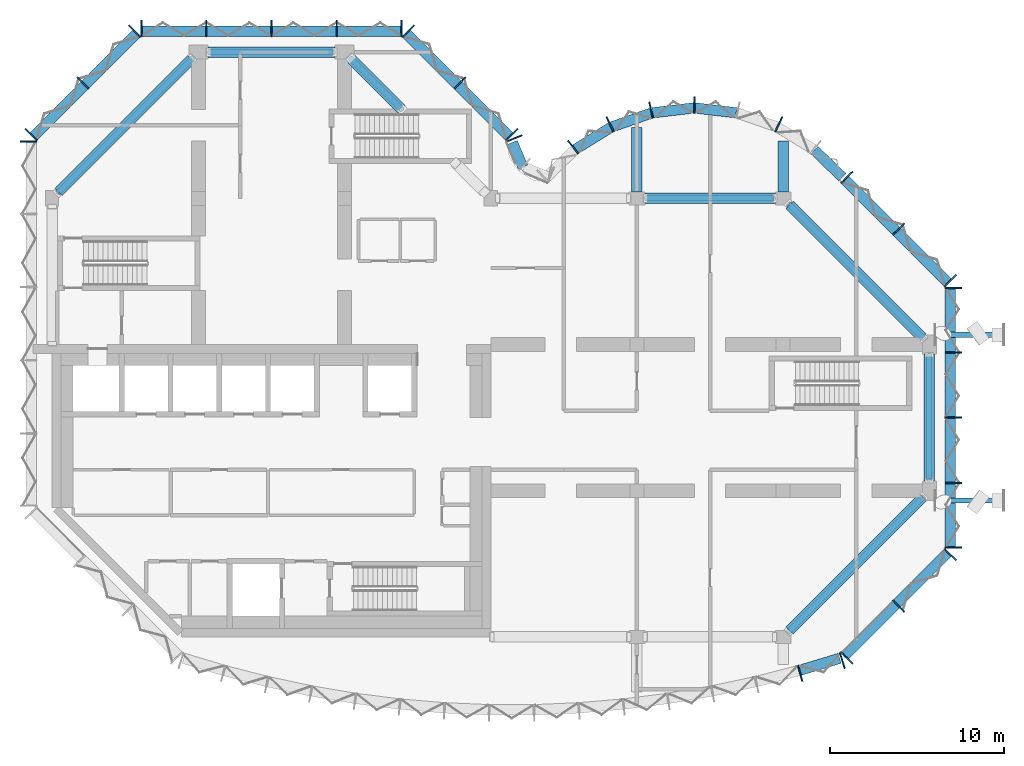
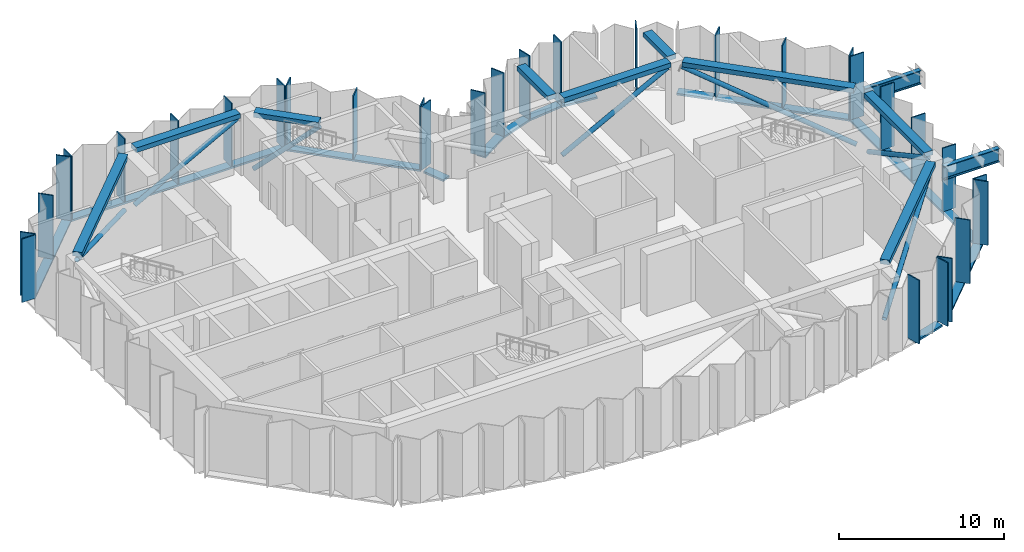
# One storey, part 2 of 13: 53 members, 9 beams, 10 elements without a shape of their own.
"""IFC4 building model written with IfcOpenShell, lengths in metres."""

from ifc_helpers import new_model, si_unit, direction, frame, origin, origin_2d, place, context, subcontext, project, spatial, rectangle, hollow_circle, i_section, extrude, material, material_profile, profile_set, type_object, element, aggregate, save


model = new_model("IFC4")

# Units and contexts
model_context = context("Model", 3, precision=1e-05, world=origin(), true_north=direction((0.0, 1.0)))
body_context = subcontext(model_context, "Body", "Model", "MODEL_VIEW")
ifc_project = project(units=[si_unit("LENGTHUNIT", "METRE"), si_unit("AREAUNIT", "SQUARE_METRE"), si_unit("VOLUMEUNIT", "CUBIC_METRE"), si_unit("PLANEANGLEUNIT", "RADIAN"), si_unit("MASSUNIT", "GRAM", prefix="KILO")], contexts=[model_context])

# Site, building, storey
site_placement = place(None, origin())
site = spatial("IfcSite", under=ifc_project, at=site_placement, CompositionType="ELEMENT")
building_placement = place(site_placement, origin())
building = spatial("IfcBuilding", under=site, at=building_placement, Name="Brevane Broadcast Tower", CompositionType="ELEMENT")
storey_placement = place(building_placement, frame((0.0, 0.0, 210.89990234375)))
storey = spatial("IfcBuildingStorey", under=building, at=storey_placement, Name="L53", CompositionType="ELEMENT", Elevation=210.89990234375)

# Curtain wall, members
ifc_material_1 = material(Name="Aluminium 6063-T6 bronze anodised", Category="aluminium")
curtain_wall_type = type_object("IfcCurtainWallType", Name="CW-3 curtain wall", PredefinedType="NOTDEFINED", material=ifc_material_1)
curtain_wall_1_placement = place(storey_placement, origin())
curtain_wall_1 = element("IfcCurtainWall", 1, at=curtain_wall_1_placement, inside=storey, type_object=curtain_wall_type, Name="CW-3 refuge louvre unit L53 south bow", PredefinedType="NOTDEFINED")
ifc_material_profile_1 = material_profile(ifc_material_1, rectangle(XDim=0.949951171875, YDim=0.080078125, at=origin_2d()), Name="RECT 80x950")
ifc_profile_set_1 = profile_set([ifc_material_profile_1], Name="Aluminium 6063-T6 bronze anodised")
member_type_1 = type_object("IfcMemberType", Name="CW-3 mullion 80x950", PredefinedType="MULLION", material=ifc_profile_set_1)
member_1_placement = place(storey_placement, frame((42.97509765625, -2.097900390625, -0.159912109375), z_axis=(0.0, 0.0, 1.0), x_axis=(-0.268915519935, 0.963163767559, 0.0)))
member_1 = element("IfcMember", 2, at=member_1_placement, type_object=member_type_1, Name="CW-3 mullion", PredefinedType="MULLION", context=body_context, shape_type="SweptSolid", body=[
    extrude(rectangle(XDim=0.949951171875, YDim=0.080078125, at=origin_2d()), origin(), (0.0, 0.0, 1.0), 4.7099609375),
])
member_2_placement = place(storey_placement, frame((45.39892578125, -1.3662109375, -0.159912109375), z_axis=(0.0, 0.0, 1.0), x_axis=(-0.288968122518, 0.957338719664, 0.0)))
member_2 = element("IfcMember", 3, at=member_2_placement, type_object=member_type_1, Name="CW-3 mullion", PredefinedType="MULLION", context=body_context, shape_type="SweptSolid", body=[
    extrude(rectangle(XDim=0.949951171875, YDim=0.080078125, at=origin_2d()), origin(), (0.0, 0.0, 1.0), 4.7099609375),
])

curtain_wall_2_placement = place(storey_placement, origin())
curtain_wall_2 = element("IfcCurtainWall", 4, at=curtain_wall_2_placement, inside=storey, type_object=curtain_wall_type, Name="CW-3 refuge louvre unit L53 south-east chamfer", PredefinedType="NOTDEFINED")
member_3_placement = place(storey_placement, frame((45.6640625, -1.20751953125, -0.159912109375), z_axis=(0.0, 0.0, 1.0), x_axis=(-0.707106781187, 0.707106781187, 0.0)))
member_3 = element("IfcMember", 5, at=member_3_placement, type_object=member_type_1, Name="CW-3 mullion", PredefinedType="MULLION", context=body_context, shape_type="SweptSolid", body=[
    extrude(rectangle(XDim=0.949951171875, YDim=0.080078125, at=origin_2d()), origin(), (0.0, 0.0, 1.0), 4.7099609375),
])
member_4_placement = place(storey_placement, frame((48.635986328125, 1.76416015625, -0.159912109375), z_axis=(0.0, 0.0, 1.0), x_axis=(-0.707106781187, 0.707106781187, 0.0)))
member_4 = element("IfcMember", 6, at=member_4_placement, type_object=member_type_1, Name="CW-3 mullion", PredefinedType="MULLION", context=body_context, shape_type="SweptSolid", body=[
    extrude(rectangle(XDim=0.949951171875, YDim=0.080078125, at=origin_2d()), origin(), (0.0, 0.0, 1.0), 4.7099609375),
])
member_5_placement = place(storey_placement, frame((51.607666015625, 4.73583984375, -0.159912109375), z_axis=(0.0, 0.0, 1.0), x_axis=(-0.707106781187, 0.707106781187, 0.0)))
member_5 = element("IfcMember", 7, at=member_5_placement, type_object=member_type_1, Name="CW-3 mullion", PredefinedType="MULLION", context=body_context, shape_type="SweptSolid", body=[
    extrude(rectangle(XDim=0.949951171875, YDim=0.080078125, at=origin_2d()), origin(), (0.0, 0.0, 1.0), 4.7099609375),
])

curtain_wall_3_placement = place(storey_placement, origin())
curtain_wall_3 = element("IfcCurtainWall", 8, at=curtain_wall_3_placement, inside=storey, type_object=curtain_wall_type, Name="CW-3 refuge louvre unit L53 east end", PredefinedType="NOTDEFINED")
member_6_placement = place(storey_placement, frame((51.77490234375, 5.139892578125, -0.159912109375), z_axis=(0.0, 0.0, 1.0), x_axis=(-1.0, 0.0, 0.0)))
member_6 = element("IfcMember", 9, at=member_6_placement, type_object=member_type_1, Name="CW-3 mullion", PredefinedType="MULLION", context=body_context, shape_type="SweptSolid", body=[
    extrude(rectangle(XDim=0.949951171875, YDim=0.080078125, at=origin_2d()), origin(), (0.0, 0.0, 1.0), 4.7099609375),
])
member_7_placement = place(storey_placement, frame((51.77490234375, 8.85009765625, -0.159912109375), z_axis=(0.0, 0.0, 1.0), x_axis=(-1.0, 0.0, 0.0)))
member_7 = element("IfcMember", 10, at=member_7_placement, type_object=member_type_1, Name="CW-3 mullion", PredefinedType="MULLION", context=body_context, shape_type="SweptSolid", body=[
    extrude(rectangle(XDim=0.949951171875, YDim=0.080078125, at=origin_2d()), origin(), (0.0, 0.0, 1.0), 4.7099609375),
])
member_8_placement = place(storey_placement, frame((51.77490234375, 12.60009765625, -0.159912109375), z_axis=(0.0, 0.0, 1.0), x_axis=(-1.0, 0.0, 0.0)))
member_8 = element("IfcMember", 11, at=member_8_placement, type_object=member_type_1, Name="CW-3 mullion", PredefinedType="MULLION", context=body_context, shape_type="SweptSolid", body=[
    extrude(rectangle(XDim=0.949951171875, YDim=0.080078125, at=origin_2d()), origin(), (0.0, 0.0, 1.0), 4.7099609375),
])
member_9_placement = place(storey_placement, frame((51.77490234375, 16.35009765625, -0.159912109375), z_axis=(0.0, 0.0, 1.0), x_axis=(-1.0, 0.0, 0.0)))
member_9 = element("IfcMember", 12, at=member_9_placement, type_object=member_type_1, Name="CW-3 mullion", PredefinedType="MULLION", context=body_context, shape_type="SweptSolid", body=[
    extrude(rectangle(XDim=0.949951171875, YDim=0.080078125, at=origin_2d()), origin(), (0.0, 0.0, 1.0), 4.7099609375),
])
member_10_placement = place(storey_placement, frame((51.77490234375, 20.06005859375, -0.159912109375), z_axis=(0.0, 0.0, 1.0), x_axis=(-1.0, 0.0, 0.0)))
member_10 = element("IfcMember", 13, at=member_10_placement, type_object=member_type_1, Name="CW-3 mullion", PredefinedType="MULLION", context=body_context, shape_type="SweptSolid", body=[
    extrude(rectangle(XDim=0.949951171875, YDim=0.080078125, at=origin_2d()), origin(), (0.0, 0.0, 1.0), 4.7099609375),
])

curtain_wall_4_placement = place(storey_placement, origin())
curtain_wall_4 = element("IfcCurtainWall", 14, at=curtain_wall_4_placement, inside=storey, type_object=curtain_wall_type, Name="CW-3 refuge louvre unit L53 north-east chamfer", PredefinedType="NOTDEFINED")
member_11_placement = place(storey_placement, frame((51.607666015625, 20.464111328125, -0.159912109375), z_axis=(0.0, 0.0, 1.0), x_axis=(-0.707106781187, -0.707106781187, 0.0)))
member_11 = element("IfcMember", 15, at=member_11_placement, type_object=member_type_1, Name="CW-3 mullion", PredefinedType="MULLION", context=body_context, shape_type="SweptSolid", body=[
    extrude(rectangle(XDim=0.949951171875, YDim=0.080078125, at=origin_2d()), origin(), (0.0, 0.0, 1.0), 4.7099609375),
])
member_12_placement = place(storey_placement, frame((48.635986328125, 23.435791015625, -0.159912109375), z_axis=(0.0, 0.0, 1.0), x_axis=(-0.707106781187, -0.707106781187, 0.0)))
member_12 = element("IfcMember", 16, at=member_12_placement, type_object=member_type_1, Name="CW-3 mullion", PredefinedType="MULLION", context=body_context, shape_type="SweptSolid", body=[
    extrude(rectangle(XDim=0.949951171875, YDim=0.080078125, at=origin_2d()), origin(), (0.0, 0.0, 1.0), 4.7099609375),
])
member_13_placement = place(storey_placement, frame((45.6640625, 26.407470703125, -0.159912109375), z_axis=(0.0, 0.0, 1.0), x_axis=(-0.707106781187, -0.707106781187, 0.0)))
member_13 = element("IfcMember", 17, at=member_13_placement, type_object=member_type_1, Name="CW-3 mullion", PredefinedType="MULLION", context=body_context, shape_type="SweptSolid", body=[
    extrude(rectangle(XDim=0.949951171875, YDim=0.080078125, at=origin_2d()), origin(), (0.0, 0.0, 1.0), 4.7099609375),
])

curtain_wall_5_placement = place(storey_placement, origin())
curtain_wall_5 = element("IfcCurtainWall", 18, at=curtain_wall_5_placement, inside=storey, type_object=curtain_wall_type, Name="CW-3 refuge louvre unit L53 east bow", PredefinedType="NOTDEFINED")
member_14_placement = place(storey_placement, frame((41.746826171875, 29.4580078125, -0.159912109375), z_axis=(0.0, 0.0, 1.0), x_axis=(-0.429933580394, -0.902860518823, 0.0)))
member_14 = element("IfcMember", 19, at=member_14_placement, type_object=member_type_1, Name="CW-3 mullion", PredefinedType="MULLION", context=body_context, shape_type="SweptSolid", body=[
    extrude(rectangle(XDim=0.949951171875, YDim=0.080078125, at=origin_2d()), origin(), (0.0, 0.0, 1.0), 4.7099609375),
])
member_15_placement = place(storey_placement, frame((36.89990234375, 30.574951171875, -0.159912109375), z_axis=(0.0, 0.0, 1.0), x_axis=(0.0, -1.0, 0.0)))
member_15 = element("IfcMember", 20, at=member_15_placement, type_object=member_type_1, Name="CW-3 mullion", PredefinedType="MULLION", context=body_context, shape_type="SweptSolid", body=[
    extrude(rectangle(XDim=0.949951171875, YDim=0.080078125, at=origin_2d()), origin(), (0.0, 0.0, 1.0), 4.7099609375),
])
member_16_placement = place(storey_placement, frame((34.411865234375, 30.28076171875, -0.159912109375), z_axis=(0.0, 0.0, 1.0), x_axis=(0.224806535479, -0.974403418306, 0.0)))
member_16 = element("IfcMember", 21, at=member_16_placement, type_object=member_type_1, Name="CW-3 mullion", PredefinedType="MULLION", context=body_context, shape_type="SweptSolid", body=[
    extrude(rectangle(XDim=0.949951171875, YDim=0.080078125, at=origin_2d()), origin(), (0.0, 0.0, 1.0), 4.7099609375),
])
member_17_placement = place(storey_placement, frame((32.05322265625, 29.4580078125, -0.159912109375), z_axis=(0.0, 0.0, 1.0), x_axis=(0.429933580394, -0.902860518823, 0.0)))
member_17 = element("IfcMember", 22, at=member_17_placement, type_object=member_type_1, Name="CW-3 mullion", PredefinedType="MULLION", context=body_context, shape_type="SweptSolid", body=[
    extrude(rectangle(XDim=0.949951171875, YDim=0.080078125, at=origin_2d()), origin(), (0.0, 0.0, 1.0), 4.7099609375),
])
member_18_placement = place(storey_placement, frame((29.927978515625, 28.1455078125, -0.159912109375), z_axis=(0.0, 0.0, 1.0), x_axis=(0.614769698862, -0.788706673841, 0.0)))
member_18 = element("IfcMember", 23, at=member_18_placement, type_object=member_type_1, Name="CW-3 mullion", PredefinedType="MULLION", context=body_context, shape_type="SweptSolid", body=[
    extrude(rectangle(XDim=0.949951171875, YDim=0.080078125, at=origin_2d()), origin(), (0.0, 0.0, 1.0), 4.7099609375),
])

# Curtain wall, member
curtain_wall_6_placement = place(storey_placement, origin())
curtain_wall_6 = element("IfcCurtainWall", 24, at=curtain_wall_6_placement, inside=storey, type_object=curtain_wall_type, Name="CW-3 refuge louvre unit L53 inner corner", PredefinedType="NOTDEFINED")
member_19_placement = place(storey_placement, frame((26.55419921875, 28.644775390625, -0.159912109375), z_axis=(0.0, 0.0, 1.0), x_axis=(-0.923879532511, -0.382683432365, 0.0)))
member_19 = element("IfcMember", 25, at=member_19_placement, type_object=member_type_1, Name="CW-3 mullion", PredefinedType="MULLION", context=body_context, shape_type="SweptSolid", body=[
    extrude(rectangle(XDim=0.949951171875, YDim=0.080078125, at=origin_2d()), origin(), (0.0, 0.0, 1.0), 4.7099609375),
])

# Curtain wall, members
curtain_wall_7_placement = place(storey_placement, origin())
curtain_wall_7 = element("IfcCurtainWall", 26, at=curtain_wall_7_placement, inside=storey, type_object=curtain_wall_type, Name="CW-3 refuge louvre unit L53 north arm north-east chamfer", PredefinedType="NOTDEFINED")
member_20_placement = place(storey_placement, frame((26.407470703125, 28.8642578125, -0.159912109375), z_axis=(0.0, 0.0, 1.0), x_axis=(-0.707106781187, -0.707106781187, 0.0)))
member_20 = element("IfcMember", 27, at=member_20_placement, type_object=member_type_1, Name="CW-3 mullion", PredefinedType="MULLION", context=body_context, shape_type="SweptSolid", body=[
    extrude(rectangle(XDim=0.949951171875, YDim=0.080078125, at=origin_2d()), origin(), (0.0, 0.0, 1.0), 4.7099609375),
])
member_21_placement = place(storey_placement, frame((23.435791015625, 31.8359375, -0.159912109375), z_axis=(0.0, 0.0, 1.0), x_axis=(-0.707106781187, -0.707106781187, 0.0)))
member_21 = element("IfcMember", 28, at=member_21_placement, type_object=member_type_1, Name="CW-3 mullion", PredefinedType="MULLION", context=body_context, shape_type="SweptSolid", body=[
    extrude(rectangle(XDim=0.949951171875, YDim=0.080078125, at=origin_2d()), origin(), (0.0, 0.0, 1.0), 4.7099609375),
])
member_22_placement = place(storey_placement, frame((20.464111328125, 34.8076171875, -0.159912109375), z_axis=(0.0, 0.0, 1.0), x_axis=(-0.707106781187, -0.707106781187, 0.0)))
member_22 = element("IfcMember", 29, at=member_22_placement, type_object=member_type_1, Name="CW-3 mullion", PredefinedType="MULLION", context=body_context, shape_type="SweptSolid", body=[
    extrude(rectangle(XDim=0.949951171875, YDim=0.080078125, at=origin_2d()), origin(), (0.0, 0.0, 1.0), 4.7099609375),
])

curtain_wall_8_placement = place(storey_placement, origin())
curtain_wall_8 = element("IfcCurtainWall", 30, at=curtain_wall_8_placement, inside=storey, type_object=curtain_wall_type, Name="CW-3 refuge louvre unit L53 north end", PredefinedType="NOTDEFINED")
member_23_placement = place(storey_placement, frame((20.06005859375, 34.97509765625, -0.159912109375), z_axis=(0.0, 0.0, 1.0), x_axis=(0.0, -1.0, 0.0)))
member_23 = element("IfcMember", 31, at=member_23_placement, type_object=member_type_1, Name="CW-3 mullion", PredefinedType="MULLION", context=body_context, shape_type="SweptSolid", body=[
    extrude(rectangle(XDim=0.949951171875, YDim=0.080078125, at=origin_2d()), origin(), (0.0, 0.0, 1.0), 4.7099609375),
])
member_24_placement = place(storey_placement, frame((16.35009765625, 34.97509765625, -0.159912109375), z_axis=(0.0, 0.0, 1.0), x_axis=(0.0, -1.0, 0.0)))
member_24 = element("IfcMember", 32, at=member_24_placement, type_object=member_type_1, Name="CW-3 mullion", PredefinedType="MULLION", context=body_context, shape_type="SweptSolid", body=[
    extrude(rectangle(XDim=0.949951171875, YDim=0.080078125, at=origin_2d()), origin(), (0.0, 0.0, 1.0), 4.7099609375),
])
member_25_placement = place(storey_placement, frame((12.60009765625, 34.97509765625, -0.159912109375), z_axis=(0.0, 0.0, 1.0), x_axis=(0.0, -1.0, 0.0)))
member_25 = element("IfcMember", 33, at=member_25_placement, type_object=member_type_1, Name="CW-3 mullion", PredefinedType="MULLION", context=body_context, shape_type="SweptSolid", body=[
    extrude(rectangle(XDim=0.949951171875, YDim=0.080078125, at=origin_2d()), origin(), (0.0, 0.0, 1.0), 4.7099609375),
])
member_26_placement = place(storey_placement, frame((8.85009765625, 34.97509765625, -0.159912109375), z_axis=(0.0, 0.0, 1.0), x_axis=(0.0, -1.0, 0.0)))
member_26 = element("IfcMember", 34, at=member_26_placement, type_object=member_type_1, Name="CW-3 mullion", PredefinedType="MULLION", context=body_context, shape_type="SweptSolid", body=[
    extrude(rectangle(XDim=0.949951171875, YDim=0.080078125, at=origin_2d()), origin(), (0.0, 0.0, 1.0), 4.7099609375),
])
member_27_placement = place(storey_placement, frame((5.139892578125, 34.97509765625, -0.159912109375), z_axis=(0.0, 0.0, 1.0), x_axis=(0.0, -1.0, 0.0)))
member_27 = element("IfcMember", 35, at=member_27_placement, type_object=member_type_1, Name="CW-3 mullion", PredefinedType="MULLION", context=body_context, shape_type="SweptSolid", body=[
    extrude(rectangle(XDim=0.949951171875, YDim=0.080078125, at=origin_2d()), origin(), (0.0, 0.0, 1.0), 4.7099609375),
])

curtain_wall_9_placement = place(storey_placement, origin())
curtain_wall_9 = element("IfcCurtainWall", 36, at=curtain_wall_9_placement, inside=storey, type_object=curtain_wall_type, Name="CW-3 refuge louvre unit L53 north-west chamfer", PredefinedType="NOTDEFINED")
member_28_placement = place(storey_placement, frame((4.73583984375, 34.8076171875, -0.159912109375), z_axis=(0.0, 0.0, 1.0), x_axis=(0.707106781187, -0.707106781187, 0.0)))
member_28 = element("IfcMember", 37, at=member_28_placement, type_object=member_type_1, Name="CW-3 mullion", PredefinedType="MULLION", context=body_context, shape_type="SweptSolid", body=[
    extrude(rectangle(XDim=0.949951171875, YDim=0.080078125, at=origin_2d()), origin(), (0.0, 0.0, 1.0), 4.7099609375),
])
member_29_placement = place(storey_placement, frame((1.76416015625, 31.8359375, -0.159912109375), z_axis=(0.0, 0.0, 1.0), x_axis=(0.707106781187, -0.707106781187, 0.0)))
member_29 = element("IfcMember", 38, at=member_29_placement, type_object=member_type_1, Name="CW-3 mullion", PredefinedType="MULLION", context=body_context, shape_type="SweptSolid", body=[
    extrude(rectangle(XDim=0.949951171875, YDim=0.080078125, at=origin_2d()), origin(), (0.0, 0.0, 1.0), 4.7099609375),
])
member_30_placement = place(storey_placement, frame((-1.20751953125, 28.8642578125, -0.159912109375), z_axis=(0.0, 0.0, 1.0), x_axis=(0.707106781187, -0.707106781187, 0.0)))
member_30 = element("IfcMember", 39, at=member_30_placement, type_object=member_type_1, Name="CW-3 mullion", PredefinedType="MULLION", context=body_context, shape_type="SweptSolid", body=[
    extrude(rectangle(XDim=0.949951171875, YDim=0.080078125, at=origin_2d()), origin(), (0.0, 0.0, 1.0), 4.7099609375),
])

# Curtain wall, member
curtain_wall_10_placement = place(storey_placement, origin())
curtain_wall_10 = element("IfcCurtainWall", 40, at=curtain_wall_10_placement, inside=storey, type_object=curtain_wall_type, Name="CW-3 refuge louvre unit L53 west face", PredefinedType="NOTDEFINED")
member_31_placement = place(storey_placement, frame((-1.375, 28.4599609375, -0.159912109375), z_axis=(0.0, 0.0, 1.0), x_axis=(1.0, 0.0, 0.0)))
member_31 = element("IfcMember", 41, at=member_31_placement, type_object=member_type_1, Name="CW-3 mullion", PredefinedType="MULLION", context=body_context, shape_type="SweptSolid", body=[
    extrude(rectangle(XDim=0.949951171875, YDim=0.080078125, at=origin_2d()), origin(), (0.0, 0.0, 1.0), 4.7099609375),
])
aggregate(curtain_wall_10, [member_31])

# Member
ifc_material_profile_2 = material_profile(ifc_material_1, rectangle(XDim=0.60009765625, YDim=0.139892578125, at=origin_2d()), Name="RECT 140x600")
ifc_profile_set_2 = profile_set([ifc_material_profile_2], Name="Aluminium 6063-T6 bronze anodised")
member_type_2 = type_object("IfcMemberType", Name="CW-3 transom 140x600", PredefinedType="USERDEFINED", material=ifc_profile_set_2)
member_32_placement = place(storey_placement, frame((42.93701171875, -1.926513671875, -0.22998046875), z_axis=(0.957362578524, 0.288889067362, 0.0), x_axis=(-0.288889067362, 0.957362578524, 0.0)))
member_32 = element("IfcMember", 42, at=member_32_placement, type_object=member_type_2, Name="CW-3 transom", ObjectType="TRANSOM", PredefinedType="USERDEFINED", context=body_context, shape_type="SweptSolid", body=[
    extrude(rectangle(XDim=0.60009765625, YDim=0.139892578125, at=origin_2d()), origin(), (0.0, 0.0, 1.0), 2.411865234375),
])

aggregate(curtain_wall_1, [member_1, member_2, member_32])

member_33_placement = place(storey_placement, frame((45.51220703125, -1.112060546875, -0.22998046875), z_axis=(0.707106781187, 0.707106781187, 0.0), x_axis=(-0.707106781187, 0.707106781187, 0.0)))
member_33 = element("IfcMember", 43, at=member_33_placement, type_object=member_type_2, Name="CW-3 transom", ObjectType="TRANSOM", PredefinedType="USERDEFINED", context=body_context, shape_type="SweptSolid", body=[
    extrude(rectangle(XDim=0.60009765625, YDim=0.139892578125, at=origin_2d()), origin(), (0.0, 0.0, 1.0), 8.4853515625),
])

aggregate(curtain_wall_2, [member_3, member_4, member_5, member_33])

member_34_placement = place(storey_placement, frame((51.60009765625, 5.10009765625, -0.22998046875), z_axis=(0.0, 1.0, 0.0), x_axis=(-1.0, 0.0, 0.0)))
member_34 = element("IfcMember", 44, at=member_34_placement, type_object=member_type_2, Name="CW-3 transom", ObjectType="TRANSOM", PredefinedType="USERDEFINED", context=body_context, shape_type="SweptSolid", body=[
    extrude(rectangle(XDim=0.60009765625, YDim=0.139892578125, at=origin_2d()), origin(), (0.0, 0.0, 1.0), 15.0),
])

aggregate(curtain_wall_3, [member_6, member_7, member_8, member_9, member_10, member_34])

member_35_placement = place(storey_placement, frame((51.51220703125, 20.31201171875, -0.22998046875), z_axis=(-0.707106781187, 0.707106781187, 0.0), x_axis=(-0.707106781187, -0.707106781187, 0.0)))
member_35 = element("IfcMember", 45, at=member_35_placement, type_object=member_type_2, Name="CW-3 transom", ObjectType="TRANSOM", PredefinedType="USERDEFINED", context=body_context, shape_type="SweptSolid", body=[
    extrude(rectangle(XDim=0.60009765625, YDim=0.139892578125, at=origin_2d()), origin(), (0.0, 0.0, 1.0), 8.4853515625),
])

aggregate(curtain_wall_4, [member_11, member_12, member_13, member_35])

member_36_placement = place(storey_placement, frame((45.412841796875, 26.407958984375, -0.22998046875), z_axis=(-0.71724215871, 0.696823999134, 0.0), x_axis=(-0.696823999134, -0.71724215871, 0.0)))
member_36 = element("IfcMember", 46, at=member_36_placement, type_object=member_type_2, Name="CW-3 transom", ObjectType="TRANSOM", PredefinedType="USERDEFINED", context=body_context, shape_type="SweptSolid", body=[
    extrude(rectangle(XDim=0.60009765625, YDim=0.139892578125, at=origin_2d()), origin(), (0.0, 0.0, 1.0), 2.247802734375),
])

member_37_placement = place(storey_placement, frame((39.30029296875, 30.117431640625, -0.22998046875), z_axis=(-0.993062061831, 0.117591417, 0.0), x_axis=(-0.117591417, -0.993062061831, 0.0)))
member_37 = element("IfcMember", 47, at=member_37_placement, type_object=member_type_2, Name="CW-3 transom", ObjectType="TRANSOM", PredefinedType="USERDEFINED", context=body_context, shape_type="SweptSolid", body=[
    extrude(rectangle(XDim=0.60009765625, YDim=0.139892578125, at=origin_2d()), origin(), (0.0, 0.0, 1.0), 2.39794921875),
])

member_38_placement = place(storey_placement, frame((36.880859375, 30.3994140625, -0.22998046875), z_axis=(-0.993060653805, -0.117603307202, 0.0), x_axis=(0.117603307202, -0.993060653805, 0.0)))
member_38 = element("IfcMember", 48, at=member_38_placement, type_object=member_type_2, Name="CW-3 transom", ObjectType="TRANSOM", PredefinedType="USERDEFINED", context=body_context, shape_type="SweptSolid", body=[
    extrude(rectangle(XDim=0.60009765625, YDim=0.139892578125, at=origin_2d()), origin(), (0.0, 0.0, 1.0), 2.397705078125),
])

member_39_placement = place(storey_placement, frame((34.425048828125, 30.10302734375, -0.22998046875), z_axis=(-0.944197969542, -0.329378497041, 0.0), x_axis=(0.329378497041, -0.944197969542, 0.0)))
member_39 = element("IfcMember", 49, at=member_39_placement, type_object=member_type_2, Name="CW-3 transom", ObjectType="TRANSOM", PredefinedType="USERDEFINED", context=body_context, shape_type="SweptSolid", body=[
    extrude(rectangle(XDim=0.60009765625, YDim=0.139892578125, at=origin_2d()), origin(), (0.0, 0.0, 1.0), 2.394775390625),
])

member_40_placement = place(storey_placement, frame((32.09521484375, 29.281494140625, -0.22998046875), z_axis=(-0.850838211365, -0.525427766759, 0.0), x_axis=(0.525427766759, -0.850838211365, 0.0)))
member_40 = element("IfcMember", 50, at=member_40_placement, type_object=member_type_2, Name="CW-3 transom", ObjectType="TRANSOM", PredefinedType="USERDEFINED", context=body_context, shape_type="SweptSolid", body=[
    extrude(rectangle(XDim=0.60009765625, YDim=0.139892578125, at=origin_2d()), origin(), (0.0, 0.0, 1.0), 2.394775390625),
])

aggregate(curtain_wall_5, [member_14, member_15, member_16, member_17, member_18, member_36, member_37, member_38, member_39, member_40])

member_41_placement = place(storey_placement, frame((27.039794921875, 27.0, -0.22998046875), z_axis=(-0.382674472816, 0.923883243627, 0.0), x_axis=(-0.923883243627, -0.382674472816, 0.0)))
member_41 = element("IfcMember", 51, at=member_41_placement, type_object=member_type_2, Name="CW-3 transom", ObjectType="TRANSOM", PredefinedType="USERDEFINED", context=body_context, shape_type="SweptSolid", body=[
    extrude(rectangle(XDim=0.60009765625, YDim=0.139892578125, at=origin_2d()), origin(), (0.0, 0.0, 1.0), 1.536865234375),
])

aggregate(curtain_wall_6, [member_19, member_41])

member_42_placement = place(storey_placement, frame((26.31201171875, 28.712158203125, -0.22998046875), z_axis=(-0.707106781187, 0.707106781187, 0.0), x_axis=(-0.707106781187, -0.707106781187, 0.0)))
member_42 = element("IfcMember", 52, at=member_42_placement, type_object=member_type_2, Name="CW-3 transom", ObjectType="TRANSOM", PredefinedType="USERDEFINED", context=body_context, shape_type="SweptSolid", body=[
    extrude(rectangle(XDim=0.60009765625, YDim=0.139892578125, at=origin_2d()), origin(), (0.0, 0.0, 1.0), 8.4853515625),
])

aggregate(curtain_wall_7, [member_20, member_21, member_22, member_42])

member_43_placement = place(storey_placement, frame((20.10009765625, 34.800048828125, -0.22998046875), z_axis=(-1.0, 0.0, 0.0), x_axis=(0.0, -1.0, 0.0)))
member_43 = element("IfcMember", 53, at=member_43_placement, type_object=member_type_2, Name="CW-3 transom", ObjectType="TRANSOM", PredefinedType="USERDEFINED", context=body_context, shape_type="SweptSolid", body=[
    extrude(rectangle(XDim=0.60009765625, YDim=0.139892578125, at=origin_2d()), origin(), (0.0, 0.0, 1.0), 15.0),
])

aggregate(curtain_wall_8, [member_23, member_24, member_25, member_26, member_27, member_43])

member_44_placement = place(storey_placement, frame((4.887939453125, 34.712158203125, -0.22998046875), z_axis=(-0.707106781187, -0.707106781187, 0.0), x_axis=(0.707106781187, -0.707106781187, 0.0)))
member_44 = element("IfcMember", 54, at=member_44_placement, type_object=member_type_2, Name="CW-3 transom", ObjectType="TRANSOM", PredefinedType="USERDEFINED", context=body_context, shape_type="SweptSolid", body=[
    extrude(rectangle(XDim=0.60009765625, YDim=0.139892578125, at=origin_2d()), origin(), (0.0, 0.0, 1.0), 8.4853515625),
])

aggregate(curtain_wall_9, [member_28, member_29, member_30, member_44])

# Beams
ifc_material_2 = material(Name="Concrete C40/50", Category="concrete")
ifc_material_profile_3 = material_profile(ifc_material_2, rectangle(XDim=0.60009765625, YDim=0.35009765625, at=origin_2d()), Name="RC 600x350")
ifc_profile_set_3 = profile_set([ifc_material_profile_3], Name="Concrete C40/50")
beam_type_1 = type_object("IfcBeamType", Name="RC BRACKET BEAM 600x350 C40/50", PredefinedType="BEAM", material=ifc_profile_set_3)
beam_1_placement = place(storey_placement, frame((33.60009765625, 25.574951171875, 4.375), z_axis=(0.0, 1.0, 0.0), x_axis=(-1.0, 0.0, 0.0)))
element("IfcBeam", 55, at=beam_1_placement, inside=storey, type_object=beam_type_1, Name="EB2 L53-2", PredefinedType="BEAM", context=body_context, shape_type="SweptSolid", body=[
    extrude(rectangle(XDim=0.60009765625, YDim=0.35009765625, at=origin_2d()), origin(), (0.0, 0.0, 1.0), 3.68701171875),
])
beam_2_placement = place(storey_placement, frame((42.0, 25.574951171875, 4.375), z_axis=(0.0, 1.0, 0.0), x_axis=(-1.0, 0.0, 0.0)))
element("IfcBeam", 56, at=beam_2_placement, inside=storey, type_object=beam_type_1, Name="EB2 L53-4", PredefinedType="BEAM", context=body_context, shape_type="SweptSolid", body=[
    extrude(rectangle(XDim=0.60009765625, YDim=0.35009765625, at=origin_2d()), origin(), (0.0, 0.0, 1.0), 2.9365234375),
])
ifc_material_profile_4 = material_profile(ifc_material_2, rectangle(XDim=0.60009765625, YDim=0.35009765625, at=origin_2d()), Name="RC 600x350")
ifc_profile_set_4 = profile_set([ifc_material_profile_4], Name="Concrete C40/50")
beam_type_2 = type_object("IfcBeamType", Name="RC SPANDREL BEAM 600x350 C40/50", PredefinedType="SPANDREL", material=ifc_profile_set_4)
beam_3_placement = place(storey_placement, frame((42.375, 0.375, 4.375), z_axis=(0.707106781187, 0.707106781187, 0.0), x_axis=(-0.707106781187, 0.707106781187, 0.0)))
element("IfcBeam", 57, at=beam_3_placement, inside=storey, type_object=beam_type_2, Name="EB1 L53-3", PredefinedType="SPANDREL", context=body_context, shape_type="SweptSolid", body=[
    extrude(rectangle(XDim=0.60009765625, YDim=0.35009765625, at=origin_2d()), origin(), (0.0, 0.0, 1.0), 10.783447265625),
])
beam_4_placement = place(storey_placement, frame((50.39990234375, 8.949951171875, 4.375), z_axis=(0.0, 1.0, 0.0), x_axis=(-1.0, 0.0, 0.0)))
element("IfcBeam", 58, at=beam_4_placement, inside=storey, type_object=beam_type_2, Name="EB1 L53-4", PredefinedType="SPANDREL", context=body_context, shape_type="SweptSolid", body=[
    extrude(rectangle(XDim=0.60009765625, YDim=0.35009765625, at=origin_2d()), origin(), (0.0, 0.0, 1.0), 7.300048828125),
])
beam_5_placement = place(storey_placement, frame((50.0, 17.199951171875, 4.375), z_axis=(-0.707106781187, 0.707106781187, 0.0), x_axis=(-0.707106781187, -0.707106781187, 0.0)))
element("IfcBeam", 59, at=beam_5_placement, inside=storey, type_object=beam_type_2, Name="EB1 L53-5", PredefinedType="SPANDREL", context=body_context, shape_type="SweptSolid", body=[
    extrude(rectangle(XDim=0.60009765625, YDim=0.35009765625, at=origin_2d()), origin(), (0.0, 0.0, 1.0), 10.783447265625),
])
beam_6_placement = place(storey_placement, frame((41.550048828125, 25.199951171875, 4.375), z_axis=(-1.0, 0.0, 0.0), x_axis=(0.0, -1.0, 0.0)))
element("IfcBeam", 60, at=beam_6_placement, inside=storey, type_object=beam_type_2, Name="EB1 L53-6", PredefinedType="SPANDREL", context=body_context, shape_type="SweptSolid", body=[
    extrude(rectangle(XDim=0.60009765625, YDim=0.35009765625, at=origin_2d()), origin(), (0.0, 0.0, 1.0), 7.5),
])
beam_7_placement = place(storey_placement, frame((20.080078125, 30.320068359375, 4.375), z_axis=(-0.707136751593, 0.70707680951, 0.0), x_axis=(-0.70707680951, -0.707136751593, 0.0)))
element("IfcBeam", 61, at=beam_7_placement, inside=storey, type_object=beam_type_2, Name="EB1 L53-12", PredefinedType="SPANDREL", context=body_context, shape_type="SweptSolid", body=[
    extrude(rectangle(XDim=0.60009765625, YDim=0.35009765625, at=origin_2d()), origin(), (0.0, 0.0, 1.0), 4.072998046875),
])
beam_8_placement = place(storey_placement, frame((16.25, 33.60009765625, 4.375), z_axis=(-1.0, 0.0, 0.0), x_axis=(0.0, -1.0, 0.0)))
element("IfcBeam", 62, at=beam_8_placement, inside=storey, type_object=beam_type_2, Name="EB1 L53-9", PredefinedType="SPANDREL", context=body_context, shape_type="SweptSolid", body=[
    extrude(rectangle(XDim=0.60009765625, YDim=0.35009765625, at=origin_2d()), origin(), (0.0, 0.0, 1.0), 7.300048828125),
])
beam_9_placement = place(storey_placement, frame((8.0, 33.199951171875, 4.375), z_axis=(-0.707106781187, -0.707106781187, 0.0), x_axis=(0.707106781187, -0.707106781187, 0.0)))
element("IfcBeam", 63, at=beam_9_placement, inside=storey, type_object=beam_type_2, Name="EB1 L53-10", PredefinedType="SPANDREL", context=body_context, shape_type="SweptSolid", body=[
    extrude(rectangle(XDim=0.60009765625, YDim=0.35009765625, at=origin_2d()), origin(), (0.0, 0.0, 1.0), 10.783447265625),
])

# Members
ifc_material_3 = material(Name="Steel S355", Category="steel")
ifc_material_profile_5 = material_profile(ifc_material_3, hollow_circle(Radius=0.161865234375, WallThickness=0.012451171875, at=origin_2d()), Name="CHS 323.9x12.5")
ifc_profile_set_5 = profile_set([ifc_material_profile_5], Name="Steel S355")
member_type_3 = type_object("IfcMemberType", Name="STEEL BELT TRUSS BRACE CHS 323.9x12.5 S355", PredefinedType="BRACE", material=ifc_profile_set_5)
member_45_placement = place(storey_placement, frame((42.297607421875, 0.297607421875, 0.2431640625), z_axis=(0.66829098929, 0.66829098929, 0.326763381162), x_axis=(-0.707106781187, 0.707106781187, 0.0)))
element("IfcMember", 64, at=member_45_placement, inside=storey, type_object=member_type_3, Name="BT3 L53-3", PredefinedType="BRACE", context=body_context, shape_type="SweptSolid", body=[
    extrude(hollow_circle(Radius=0.161865234375, WallThickness=0.012451171875, at=origin_2d()), origin(), (0.0, 0.0, 1.0), 11.641357421875),
])
member_46_placement = place(storey_placement, frame((50.39990234375, 16.20263671875, 0.142333984375), z_axis=(0.0, -0.878645417188, 0.477474848401), x_axis=(1.0, 0.0, 0.0)))
element("IfcMember", 65, at=member_46_placement, inside=storey, type_object=member_type_3, Name="BT3 L53-4", PredefinedType="BRACE", context=body_context, shape_type="SweptSolid", body=[
    extrude(hollow_circle(Radius=0.161865234375, WallThickness=0.012451171875, at=origin_2d()), origin(), (0.0, 0.0, 1.0), 8.200439453125),
])
member_47_placement = place(storey_placement, frame((50.077392578125, 17.12255859375, 0.2431640625), z_axis=(-0.66829098929, 0.66829098929, 0.326763381162), x_axis=(-0.707106781187, -0.707106781187, 0.0)))
element("IfcMember", 66, at=member_47_placement, inside=storey, type_object=member_type_3, Name="BT3 L53-5", PredefinedType="BRACE", context=body_context, shape_type="SweptSolid", body=[
    extrude(hollow_circle(Radius=0.161865234375, WallThickness=0.012451171875, at=origin_2d()), origin(), (0.0, 0.0, 1.0), 11.641357421875),
])
member_48_placement = place(storey_placement, frame((34.095703125, 25.199951171875, 0.143310546875), z_axis=(0.884215635817, 0.0, 0.467078911295), x_axis=(0.0, 1.0, 0.0)))
element("IfcMember", 67, at=member_48_placement, inside=storey, type_object=member_type_3, Name="BT3 L53-6", PredefinedType="BRACE", context=body_context, shape_type="SweptSolid", body=[
    extrude(hollow_circle(Radius=0.161865234375, WallThickness=0.012451171875, at=origin_2d()), origin(), (0.0, 0.0, 1.0), 8.37890625),
])
member_49_placement = place(storey_placement, frame((17.163330078125, 33.236572265625, 0.208251953125), z_axis=(0.516000344193, -0.515957250795, 0.683762941482), x_axis=(0.70707725258, 0.70713630856, 0.0)))
element("IfcMember", 68, at=member_49_placement, inside=storey, type_object=member_type_3, Name="BT3 L53-8", PredefinedType="BRACE", context=body_context, shape_type="SweptSolid", body=[
    extrude(hollow_circle(Radius=0.161865234375, WallThickness=0.012451171875, at=origin_2d()), origin(), (0.0, 0.0, 1.0), 5.665283203125),
])
member_50_placement = place(storey_placement, frame((8.997314453125, 33.60009765625, 0.142333984375), z_axis=(0.878645417188, 0.0, 0.477474848401), x_axis=(0.0, 1.0, 0.0)))
element("IfcMember", 69, at=member_50_placement, inside=storey, type_object=member_type_3, Name="BT3 L53-10", PredefinedType="BRACE", context=body_context, shape_type="SweptSolid", body=[
    extrude(hollow_circle(Radius=0.161865234375, WallThickness=0.012451171875, at=origin_2d()), origin(), (0.0, 0.0, 1.0), 8.200439453125),
])
member_51_placement = place(storey_placement, frame((8.077392578125, 33.27734375, 0.2431640625), z_axis=(-0.66829098929, -0.66829098929, 0.326763381162), x_axis=(0.707106781187, -0.707106781187, 0.0)))
element("IfcMember", 70, at=member_51_placement, inside=storey, type_object=member_type_3, Name="BT3 L53-11", PredefinedType="BRACE", context=body_context, shape_type="SweptSolid", body=[
    extrude(hollow_circle(Radius=0.161865234375, WallThickness=0.012451171875, at=origin_2d()), origin(), (0.0, 0.0, 1.0), 11.641357421875),
])
ifc_material_profile_6 = material_profile(ifc_material_3, i_section(OverallWidth=0.302001953125, OverallDepth=1.008056640625, WebThickness=0.02099609375, FlangeThickness=0.0400390625, FilletRadius=0.030029296875, at=origin_2d()), Name="HE 1000 M")
ifc_profile_set_6 = profile_set([ifc_material_profile_6], Name="Steel S355")
member_type_4 = type_object("IfcMemberType", Name="STEEL POOL TRUSS CHORD HE 1000 M S355", PredefinedType="CHORD", material=ifc_profile_set_6)
for number, where, z_axis, x_axis, name in (
    (71, (50.75, 7.840087890625, 3.550048828125), (1.0, 0.0, 0.0), (0.0, 1.0, 0.0), "SB5 1"),
    (72, (50.75, 17.360107421875, 3.550048828125), (1.0, 0.0, 0.0), (0.0, 1.0, 0.0), "SB5 2"),
):
    element("IfcMember", number, at=place(storey_placement, frame(where, z_axis=z_axis, x_axis=x_axis)), inside=storey, type_object=member_type_4, Name=name, PredefinedType="CHORD", context=body_context, shape_type="SweptSolid", body=[
        extrude(i_section(OverallWidth=0.302001953125, OverallDepth=1.008056640625, WebThickness=0.02099609375, FlangeThickness=0.0400390625, FilletRadius=0.030029296875, at=origin_2d()), origin(), (0.0, 0.0, 1.0), 3.89990234375),
    ])

save(model, "model.ifc")
